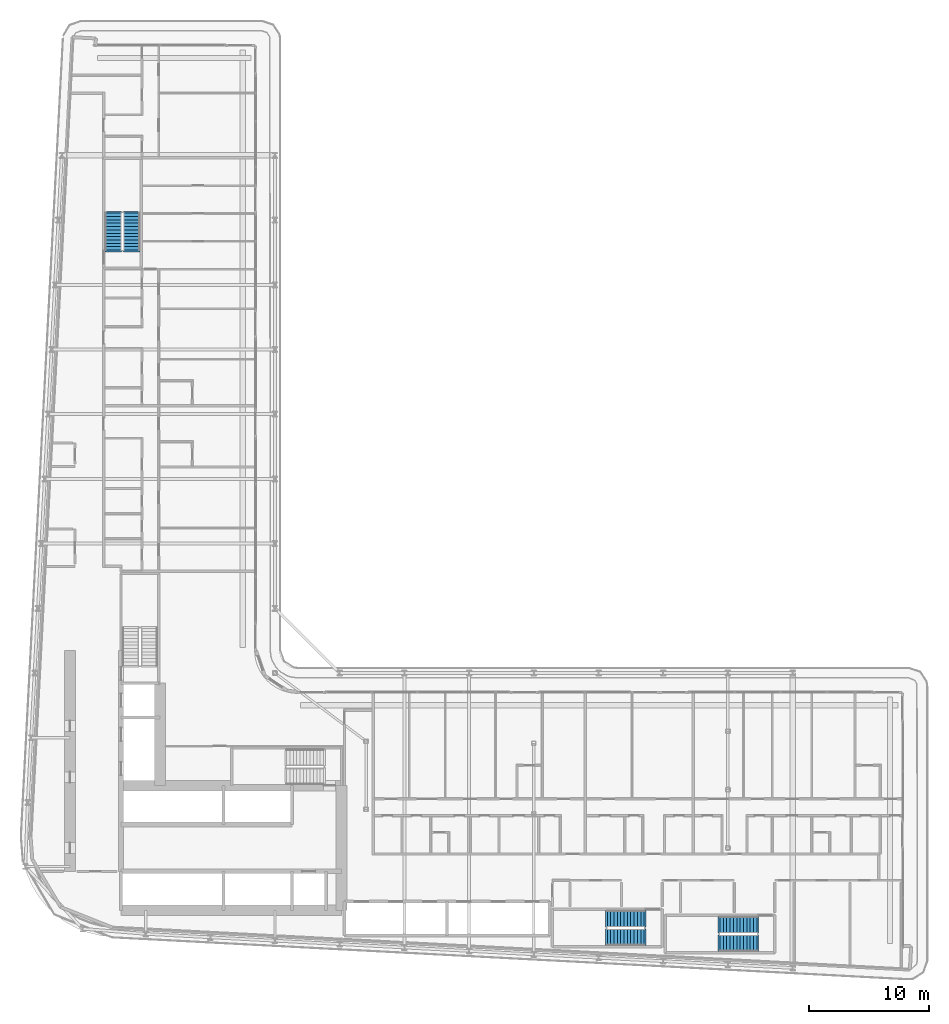
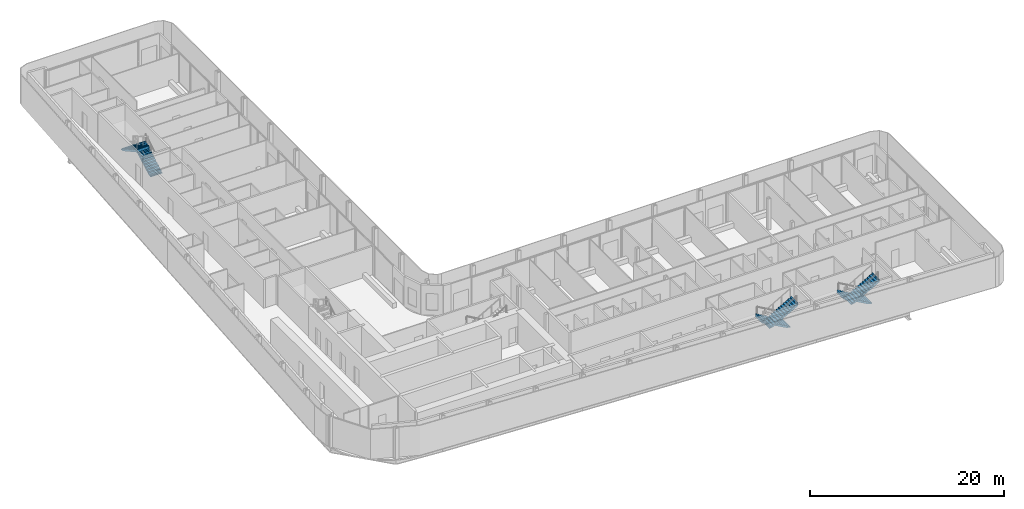
# One storey, part 21 of 28: 6 stair flights, 3 elements without a shape of their own.
"""IFC4 building model written with IfcOpenShell, lengths in metres."""

import ifcopenshell
import ifcopenshell.guid

model = None  # the IFC model being written
_history = None  # IfcOwnerHistory: only IFC2X3 demands one
_inside = {}  # id of a spatial element -> (the spatial element, [elements in it])
_under = {}  # id of a project, library or spatial element -> (it, [spatial elements below it])
_declared = {}  # id of a project -> (the project, [libraries it declares])
_typed = {}  # id of a type object -> (the type object, [elements of that type])
_made_of = {}  # id of a material, layer set ... -> (it, [elements and type objects made of it])


def new_model(schema):
    """Start an empty IFC model of exactly this schema.

    Asked for "IFC4X3", IfcOpenShell would pick the latest addendum, in which some entities
    have other attributes; the version numbers below select the first issue.
    IFC2X3 requires an IfcOwnerHistory on every rooted entity: one is made here for all.
    """
    global model, _history
    if schema == "IFC4X3":
        model = ifcopenshell.file(schema_version=(4, 3, 0, 0))
    else:
        model = ifcopenshell.file(schema=schema)
    _inside.clear()
    _under.clear()
    _declared.clear()
    _typed.clear()
    _made_of.clear()
    _history = None
    if model.schema == "IFC2X3":
        org = make("IfcOrganization", Name="unknown")
        user = make(
            "IfcPersonAndOrganization",
            ThePerson=make("IfcPerson", FamilyName="unknown"),
            TheOrganization=org,
        )
        app = make(
            "IfcApplication",
            ApplicationDeveloper=org,
            Version="unknown",
            ApplicationFullName="unknown",
            ApplicationIdentifier="unknown",
        )
        _history = make(
            "IfcOwnerHistory",
            OwningUser=user,
            OwningApplication=app,
            ChangeAction="ADDED",
            CreationDate=0,
        )
    return model


def make(cls, **values):
    """One entity of the class cls with the attributes given. An attribute that is None is left unset."""
    return model.create_entity(
        cls, **{name: value for name, value in values.items() if value is not None}
    )


def rooted(cls, **values):
    """An entity with a GlobalId (a new one), such as an element, a storey or a relation."""
    return make(cls, GlobalId=ifcopenshell.guid.new(), OwnerHistory=_history, **values)


def si_unit(unit_type, name, prefix=None):
    """IfcSIUnit, for example si_unit("LENGTHUNIT", "METRE", prefix="MILLI")."""
    return make("IfcSIUnit", UnitType=unit_type, Prefix=prefix, Name=name)


def assignment(units):
    """IfcUnitAssignment: the units of a project."""
    return None if units is None else make("IfcUnitAssignment", Units=units)


def point(xyz):
    """IfcCartesianPoint."""
    return None if xyz is None else make("IfcCartesianPoint", Coordinates=xyz)


def direction(xyz):
    """IfcDirection."""
    return None if xyz is None else make("IfcDirection", DirectionRatios=xyz)


def frame(location, z_axis=None, x_axis=None):
    """IfcAxis2Placement3D, a coordinate frame: its origin and axes. An axis left out is left unset."""
    return make(
        "IfcAxis2Placement3D",
        Location=point(location),
        Axis=direction(z_axis),
        RefDirection=direction(x_axis),
    )


def origin():
    """The frame at (0, 0, 0) with its axes left unset."""
    return frame((0.0, 0.0, 0.0))


def place(relative_to, where):
    """IfcLocalPlacement: puts the frame where relative to a parent placement (None: the world)."""
    return make(
        "IfcLocalPlacement", PlacementRelTo=relative_to, RelativePlacement=where
    )


def context(
    kind, dimensions, precision=None, world=None, true_north=None, identifier=None
):
    """IfcGeometricRepresentationContext, for example the 3D "Model" context."""
    return make(
        "IfcGeometricRepresentationContext",
        ContextIdentifier=identifier,
        ContextType=kind,
        CoordinateSpaceDimension=dimensions,
        Precision=precision,
        WorldCoordinateSystem=world,
        TrueNorth=true_north,
    )


def subcontext(parent, identifier, kind, view, scale=None):
    """IfcGeometricRepresentationSubContext, for example "Body" below "Model"."""
    return make(
        "IfcGeometricRepresentationSubContext",
        ContextIdentifier=identifier,
        ContextType=kind,
        ParentContext=parent,
        TargetScale=scale,
        TargetView=view,
    )


def project(units=None, contexts=None):
    """IfcProject with its units and contexts."""
    return rooted(
        "IfcProject",
        Name="project",
        RepresentationContexts=contexts,
        UnitsInContext=assignment(units),
    )


def spatial(cls, under=None, at=None, **own):
    """A site, building, storey or space (cls), placed at a placement, below another one or the project."""
    s = rooted(cls, ObjectPlacement=at, **own)
    if under is not None:
        _under.setdefault(under.id(), (under, []))[1].append(s)
    return s


def polyline(points):
    """IfcPolyline through the points."""
    return make("IfcPolyline", Points=[point(p) for p in points])


def outline(outer, holes=None, kind="AREA"):
    """IfcArbitraryClosedProfileDef: a profile drawn as a closed curve; with holes, ...WithVoids."""
    if holes is None:
        return make("IfcArbitraryClosedProfileDef", ProfileType=kind, OuterCurve=outer)
    return make(
        "IfcArbitraryProfileDefWithVoids",
        ProfileType=kind,
        OuterCurve=outer,
        InnerCurves=holes,
    )


def extrude(swept, where, along, depth):
    """IfcExtrudedAreaSolid: the profile swept, set in the frame where, extruded along a direction by depth."""
    return make(
        "IfcExtrudedAreaSolid",
        SweptArea=swept,
        Position=where,
        ExtrudedDirection=direction(along),
        Depth=depth,
    )


def shape(context_of_items, identifier, shape_type, items):
    """IfcShapeRepresentation: the items that make up one representation, for example the "Body"."""
    return make(
        "IfcShapeRepresentation",
        ContextOfItems=context_of_items,
        RepresentationIdentifier=identifier,
        RepresentationType=shape_type,
        Items=items,
    )


def material(Name=None, Category=None):
    """IfcMaterial."""
    return make("IfcMaterial", Name=Name, Category=Category)


def layer(
    of_material, thickness, ventilated=None, Name=None, Category=None, Priority=None
):
    """IfcMaterialLayer: one layer of a wall or slab, of a material (None: an air gap)."""
    return make(
        "IfcMaterialLayer",
        Material=of_material,
        LayerThickness=thickness,
        IsVentilated=ventilated,
        Name=Name,
        Category=Category,
        Priority=Priority,
    )


def layer_set(layers, Name=None):
    """IfcMaterialLayerSet."""
    return make("IfcMaterialLayerSet", MaterialLayers=layers, LayerSetName=Name)


def made_of(thing, what):
    """Note that an element or type object is made of a material, layer set ...; save() writes the relation."""
    if what is not None:
        _made_of.setdefault(what.id(), (what, []))[1].append(thing)
    return thing


def type_object(cls, material=None, **own):
    """A type object (cls), such as IfcWallType, which elements share."""
    return made_of(rooted(cls, **own), material)


def element(
    cls,
    number,
    at=None,
    inside=None,
    cuts=None,
    type_object=None,
    material=None,
    context=None,
    identifier="Body",
    shape_type=None,
    held_by="IfcProductDefinitionShape",
    body=None,
    shapes=None,
    **own,
):
    """One element of the class cls, such as IfcWall. Its Tag is "e" and its number.

    at: its placement. inside: the storey or other place that contains it. cuts: it is an
    opening in that element (IfcRelVoidsElement). A single representation is given by context,
    identifier, shape_type and body (its items); several are given by shapes. held_by: the class
    of the entity that holds the representations. save() writes the other relations.
    """
    e = rooted(cls, Tag="e%d" % number, ObjectPlacement=at, **own)
    if body is not None:
        shapes = [shape(context, identifier, shape_type, body)]
    if shapes is not None:
        e.Representation = make(held_by, Representations=shapes)
    if inside is not None:
        _inside.setdefault(inside.id(), (inside, []))[1].append(e)
    if cuts is not None:
        rooted(
            "IfcRelVoidsElement", RelatingBuildingElement=cuts, RelatedOpeningElement=e
        )
    if type_object is not None:
        _typed.setdefault(type_object.id(), (type_object, []))[1].append(e)
    return made_of(e, material)


def aggregate(whole, parts):
    """IfcRelAggregates: a whole, such as a stair, and the parts it consists of."""
    return rooted("IfcRelAggregates", RelatingObject=whole, RelatedObjects=parts)


def save(model, path):
    """Write the relations noted so far, then the file.

    IfcRelAggregates (storeys below a building ...), IfcRelContainedInSpatialStructure (elements
    in a storey), IfcRelDefinesByType, IfcRelAssociatesMaterial and IfcRelDeclares: one each for
    every whole, place, type object, material and project.
    """
    for whole, parts in _under.values():
        aggregate(whole, parts)
    for where, things in _inside.values():
        rooted(
            "IfcRelContainedInSpatialStructure",
            RelatedElements=things,
            RelatingStructure=where,
        )
    for kind, things in _typed.values():
        rooted("IfcRelDefinesByType", RelatedObjects=things, RelatingType=kind)
    for what, things in _made_of.values():
        rooted("IfcRelAssociatesMaterial", RelatedObjects=things, RelatingMaterial=what)
    for by, libraries in _declared.values():
        rooted("IfcRelDeclares", RelatingContext=by, RelatedDefinitions=libraries)
    model.write(path)


model = new_model("IFC4")

# Units and contexts
model_context = context("Model", 3, precision=1e-05, world=origin(), true_north=direction((0.0, 1.0)))
body_context = subcontext(model_context, "Body", "Model", "MODEL_VIEW")
ifc_project = project(units=[si_unit("LENGTHUNIT", "METRE"), si_unit("AREAUNIT", "SQUARE_METRE"), si_unit("VOLUMEUNIT", "CUBIC_METRE"), si_unit("PLANEANGLEUNIT", "RADIAN"), si_unit("MASSUNIT", "GRAM", prefix="KILO")], contexts=[model_context])

# Site, building, storey
site_placement = place(None, origin())
site = spatial("IfcSite", under=ifc_project, at=site_placement, CompositionType="ELEMENT")
building_placement = place(site_placement, origin())
building = spatial("IfcBuilding", under=site, at=building_placement, Name="Kheshtan School and Residences Tower", CompositionType="ELEMENT")
storey_placement = place(building_placement, frame((0.0, 0.0, 137.0)))
storey = spatial("IfcBuildingStorey", under=building, at=storey_placement, Name="L32", CompositionType="ELEMENT", Elevation=137.0)

# Stair, stair flights
ifc_material = material(Name="Concrete C40/50", Category="concrete")
stair_type = type_object("IfcStairType", Name="Exit stair, half-turn", PredefinedType="HALF_TURN_STAIR", material=ifc_material)
stair_1_placement = place(storey_placement, origin())
stair_1 = element("IfcStair", 1, at=stair_1_placement, inside=storey, type_object=stair_type, Name="L32 Protected Exit Stair ST3", PredefinedType="HALF_TURN_STAIR")
ifc_layer = layer(ifc_material, 0.14990234375)
ifc_layer_set = layer_set([ifc_layer], Name="Stair flight 1400 Concrete C40/50")
stair_flight_type = type_object("IfcStairFlightType", Name="Stair flight 1400 Concrete C40/50", PredefinedType="STRAIGHT", material=ifc_layer_set)
stair_flight_1_placement = place(storey_placement, frame((35.64990234375, 80.89990234375, 0.0), z_axis=(0.0, 0.0, 1.0), x_axis=(0.0, 1.0, 0.0)))
stair_flight_1 = element("IfcStairFlight", 2, at=stair_flight_1_placement, type_object=stair_flight_type, Name="ST3 flight 1", NumberOfRisers=12, NumberOfTreads=11, PredefinedType="STRAIGHT", RiserHeight=0.1625, TreadLength=0.28, context=body_context, shape_type="SweptSolid", body=[
    extrude(outline(polyline([(-0.14990234375, -0.10009765625), (-0.14990234375, 0.0), (0.0, 0.0), (0.0, 0.16259765625), (0.280029296875, 0.16259765625), (0.280029296875, 0.324951171875), (0.56005859375, 0.324951171875), (0.56005859375, 0.487548828125), (0.840087890625, 0.487548828125), (0.840087890625, 0.64990234375), (1.1201171875, 0.64990234375), (1.1201171875, 0.8125), (1.39990234375, 0.8125), (1.39990234375, 0.97509765625), (1.679931640625, 0.97509765625), (1.679931640625, 1.137451171875), (1.9599609375, 1.137451171875), (1.9599609375, 1.300048828125), (2.239990234375, 1.300048828125), (2.239990234375, 1.46240234375), (2.52001953125, 1.46240234375), (2.52001953125, 1.625), (2.800048828125, 1.625), (2.800048828125, 1.78759765625), (3.080078125, 1.78759765625), (3.080078125, 1.949951171875), (3.080078125, 1.969970703125), (3.22998046875, 1.969970703125), (3.22998046875, 1.6142578125), (0.298583984375, 0.0), (-0.14990234375, -0.10009765625)])), frame((0.0, 0.699951171875, 0.0), z_axis=(0.0, -1.0, 0.0), x_axis=(1.0, 0.0, 0.0)), (0.0, 0.0, 1.0), 1.39990234375),
])
stair_flight_2_placement = place(storey_placement, frame((34.10009765625, 83.97998046875, 1.949951171875), z_axis=(0.0, 0.0, 1.0), x_axis=(0.0, -1.0, 0.0)))
stair_flight_2 = element("IfcStairFlight", 3, at=stair_flight_2_placement, type_object=stair_flight_type, Name="ST3 flight 2", NumberOfRisers=12, NumberOfTreads=11, PredefinedType="STRAIGHT", RiserHeight=0.1625, TreadLength=0.28, context=body_context, shape_type="SweptSolid", body=[
    extrude(outline(polyline([(-0.14990234375, -0.10009765625), (-0.14990234375, 0.0), (0.0, 0.0), (0.0, 0.16259765625), (0.280029296875, 0.16259765625), (0.280029296875, 0.324951171875), (0.56005859375, 0.324951171875), (0.56005859375, 0.487548828125), (0.840087890625, 0.487548828125), (0.840087890625, 0.64990234375), (1.1201171875, 0.64990234375), (1.1201171875, 0.8125), (1.39990234375, 0.8125), (1.39990234375, 0.97509765625), (1.679931640625, 0.97509765625), (1.679931640625, 1.137451171875), (1.9599609375, 1.137451171875), (1.9599609375, 1.300048828125), (2.239990234375, 1.300048828125), (2.239990234375, 1.46240234375), (2.52001953125, 1.46240234375), (2.52001953125, 1.625), (2.800048828125, 1.625), (2.800048828125, 1.78759765625), (3.080078125, 1.78759765625), (3.080078125, 1.949951171875), (3.080078125, 1.969970703125), (3.22998046875, 1.969970703125), (3.22998046875, 1.6142578125), (0.298583984375, 0.0), (-0.14990234375, -0.10009765625)])), frame((0.0, 0.699951171875, 0.0), z_axis=(0.0, -1.0, 0.0), x_axis=(1.0, 0.0, 0.0)), (0.0, 0.0, 1.0), 1.39990234375),
])
aggregate(stair_1, [stair_flight_1, stair_flight_2])

stair_2_placement = place(storey_placement, origin())
stair_2 = element("IfcStair", 4, at=stair_2_placement, inside=storey, type_object=stair_type, Name="L32 Protected Exit Stair ST4", PredefinedType="HALF_TURN_STAIR")
stair_flight_3_placement = place(storey_placement, frame((87.820068359375, 24.60009765625, 0.0), z_axis=(0.0, 0.0, 1.0), x_axis=(-1.0, 0.0, 0.0)))
stair_flight_3 = element("IfcStairFlight", 5, at=stair_flight_3_placement, type_object=stair_flight_type, Name="ST4 flight 1", NumberOfRisers=12, NumberOfTreads=11, PredefinedType="STRAIGHT", RiserHeight=0.1625, TreadLength=0.28, context=body_context, shape_type="SweptSolid", body=[
    extrude(outline(polyline([(-0.14990234375, -0.10009765625), (-0.14990234375, 0.0), (0.0, 0.0), (0.0, 0.16259765625), (0.280029296875, 0.16259765625), (0.280029296875, 0.324951171875), (0.56005859375, 0.324951171875), (0.56005859375, 0.487548828125), (0.840087890625, 0.487548828125), (0.840087890625, 0.64990234375), (1.1201171875, 0.64990234375), (1.1201171875, 0.8125), (1.39990234375, 0.8125), (1.39990234375, 0.97509765625), (1.679931640625, 0.97509765625), (1.679931640625, 1.137451171875), (1.9599609375, 1.137451171875), (1.9599609375, 1.300048828125), (2.239990234375, 1.300048828125), (2.239990234375, 1.46240234375), (2.52001953125, 1.46240234375), (2.52001953125, 1.625), (2.800048828125, 1.625), (2.800048828125, 1.78759765625), (3.080078125, 1.78759765625), (3.080078125, 1.949951171875), (3.080078125, 1.969970703125), (3.22998046875, 1.969970703125), (3.22998046875, 1.6142578125), (0.298583984375, 0.0), (-0.14990234375, -0.10009765625)])), frame((0.0, 0.699951171875, 0.0), z_axis=(0.0, -1.0, 0.0), x_axis=(1.0, 0.0, 0.0)), (0.0, 0.0, 1.0), 1.39990234375),
])
stair_flight_4_placement = place(storey_placement, frame((84.739990234375, 23.050048828125, 1.949951171875), z_axis=(0.0, 0.0, 1.0), x_axis=(1.0, 0.0, 0.0)))
stair_flight_4 = element("IfcStairFlight", 6, at=stair_flight_4_placement, type_object=stair_flight_type, Name="ST4 flight 2", NumberOfRisers=12, NumberOfTreads=11, PredefinedType="STRAIGHT", RiserHeight=0.1625, TreadLength=0.28, context=body_context, shape_type="SweptSolid", body=[
    extrude(outline(polyline([(-0.14990234375, -0.10009765625), (-0.14990234375, 0.0), (0.0, 0.0), (0.0, 0.16259765625), (0.280029296875, 0.16259765625), (0.280029296875, 0.324951171875), (0.56005859375, 0.324951171875), (0.56005859375, 0.487548828125), (0.840087890625, 0.487548828125), (0.840087890625, 0.64990234375), (1.1201171875, 0.64990234375), (1.1201171875, 0.8125), (1.39990234375, 0.8125), (1.39990234375, 0.97509765625), (1.679931640625, 0.97509765625), (1.679931640625, 1.137451171875), (1.9599609375, 1.137451171875), (1.9599609375, 1.300048828125), (2.239990234375, 1.300048828125), (2.239990234375, 1.46240234375), (2.52001953125, 1.46240234375), (2.52001953125, 1.625), (2.800048828125, 1.625), (2.800048828125, 1.78759765625), (3.080078125, 1.78759765625), (3.080078125, 1.949951171875), (3.080078125, 1.969970703125), (3.22998046875, 1.969970703125), (3.22998046875, 1.6142578125), (0.298583984375, 0.0), (-0.14990234375, -0.10009765625)])), frame((0.0, 0.699951171875, 0.0), z_axis=(0.0, -1.0, 0.0), x_axis=(1.0, 0.0, 0.0)), (0.0, 0.0, 1.0), 1.39990234375),
])
aggregate(stair_2, [stair_flight_3, stair_flight_4])

stair_3_placement = place(storey_placement, origin())
stair_3 = element("IfcStair", 7, at=stair_3_placement, inside=storey, type_object=stair_type, Name="L32 Protected Exit Stair ST5", PredefinedType="HALF_TURN_STAIR")
stair_flight_5_placement = place(storey_placement, frame((78.409912109375, 25.10009765625, 0.0), z_axis=(0.0, 0.0, 1.0), x_axis=(-1.0, 0.0, 0.0)))
stair_flight_5 = element("IfcStairFlight", 8, at=stair_flight_5_placement, type_object=stair_flight_type, Name="ST5 flight 1", NumberOfRisers=12, NumberOfTreads=11, PredefinedType="STRAIGHT", RiserHeight=0.1625, TreadLength=0.28, context=body_context, shape_type="SweptSolid", body=[
    extrude(outline(polyline([(-0.14990234375, -0.10009765625), (-0.14990234375, 0.0), (0.0, 0.0), (0.0, 0.16259765625), (0.280029296875, 0.16259765625), (0.280029296875, 0.324951171875), (0.56005859375, 0.324951171875), (0.56005859375, 0.487548828125), (0.840087890625, 0.487548828125), (0.840087890625, 0.64990234375), (1.1201171875, 0.64990234375), (1.1201171875, 0.8125), (1.39990234375, 0.8125), (1.39990234375, 0.97509765625), (1.679931640625, 0.97509765625), (1.679931640625, 1.137451171875), (1.9599609375, 1.137451171875), (1.9599609375, 1.300048828125), (2.239990234375, 1.300048828125), (2.239990234375, 1.46240234375), (2.52001953125, 1.46240234375), (2.52001953125, 1.625), (2.800048828125, 1.625), (2.800048828125, 1.78759765625), (3.080078125, 1.78759765625), (3.080078125, 1.949951171875), (3.080078125, 1.969970703125), (3.22998046875, 1.969970703125), (3.22998046875, 1.6142578125), (0.298583984375, 0.0), (-0.14990234375, -0.10009765625)])), frame((0.0, 0.699951171875, 0.0), z_axis=(0.0, -1.0, 0.0), x_axis=(1.0, 0.0, 0.0)), (0.0, 0.0, 1.0), 1.39990234375),
])
stair_flight_6_placement = place(storey_placement, frame((75.330078125, 23.550048828125, 1.949951171875), z_axis=(0.0, 0.0, 1.0), x_axis=(1.0, 0.0, 0.0)))
stair_flight_6 = element("IfcStairFlight", 9, at=stair_flight_6_placement, type_object=stair_flight_type, Name="ST5 flight 2", NumberOfRisers=12, NumberOfTreads=11, PredefinedType="STRAIGHT", RiserHeight=0.1625, TreadLength=0.28, context=body_context, shape_type="SweptSolid", body=[
    extrude(outline(polyline([(-0.14990234375, -0.10009765625), (-0.14990234375, 0.0), (0.0, 0.0), (0.0, 0.16259765625), (0.280029296875, 0.16259765625), (0.280029296875, 0.324951171875), (0.56005859375, 0.324951171875), (0.56005859375, 0.487548828125), (0.840087890625, 0.487548828125), (0.840087890625, 0.64990234375), (1.1201171875, 0.64990234375), (1.1201171875, 0.8125), (1.39990234375, 0.8125), (1.39990234375, 0.97509765625), (1.679931640625, 0.97509765625), (1.679931640625, 1.137451171875), (1.9599609375, 1.137451171875), (1.9599609375, 1.300048828125), (2.239990234375, 1.300048828125), (2.239990234375, 1.46240234375), (2.52001953125, 1.46240234375), (2.52001953125, 1.625), (2.800048828125, 1.625), (2.800048828125, 1.78759765625), (3.080078125, 1.78759765625), (3.080078125, 1.949951171875), (3.080078125, 1.969970703125), (3.22998046875, 1.969970703125), (3.22998046875, 1.6142578125), (0.298583984375, 0.0), (-0.14990234375, -0.10009765625)])), frame((0.0, 0.699951171875, 0.0), z_axis=(0.0, -1.0, 0.0), x_axis=(1.0, 0.0, 0.0)), (0.0, 0.0, 1.0), 1.39990234375),
])
aggregate(stair_3, [stair_flight_5, stair_flight_6])

save(model, "model.ifc")
